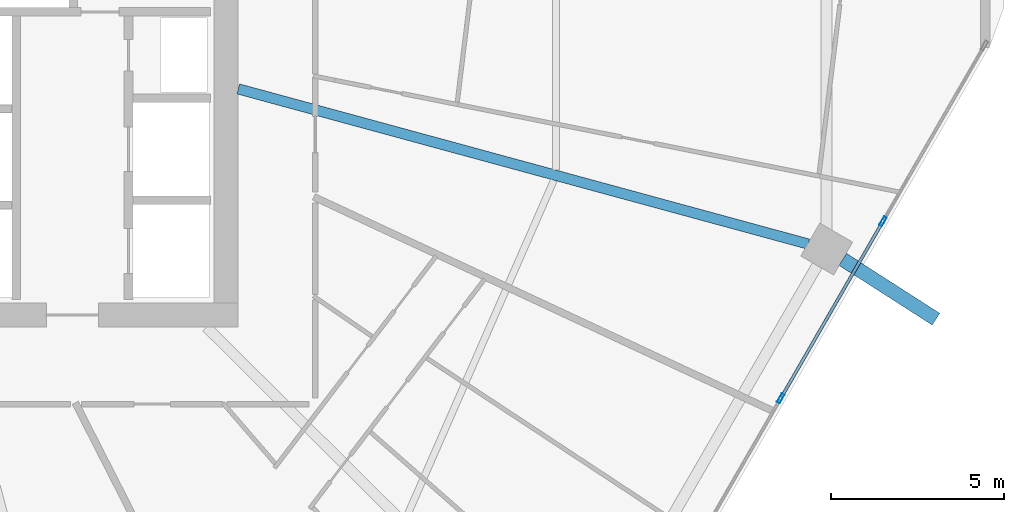
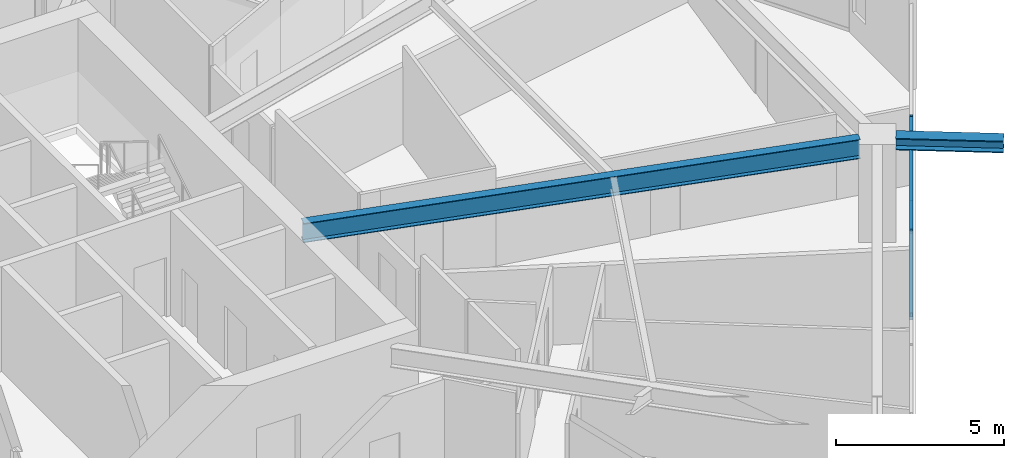
# One storey, part 11 of 33: 4 members, 2 beams, 1 element without a shape of its own.
"""IFC4 building model written with IfcOpenShell, lengths in metres."""

from ifc_helpers import new_model, si_unit, direction, frame, origin, origin_2d, place, context, subcontext, project, spatial, hollow_rectangle, i_section, extrude, material, material_profile, profile_set, type_object, element, aggregate, save


model = new_model("IFC4")

# Units and contexts
model_context = context("Model", 3, precision=1e-05, world=origin(), true_north=direction((0.0, 1.0)))
body_context = subcontext(model_context, "Body", "Model", "MODEL_VIEW")
ifc_project = project(units=[si_unit("LENGTHUNIT", "METRE"), si_unit("AREAUNIT", "SQUARE_METRE"), si_unit("VOLUMEUNIT", "CUBIC_METRE"), si_unit("PLANEANGLEUNIT", "RADIAN"), si_unit("MASSUNIT", "GRAM", prefix="KILO")], contexts=[model_context])

# Site, building, storey
site_placement = place(None, origin())
site = spatial("IfcSite", under=ifc_project, at=site_placement, CompositionType="ELEMENT")
building_placement = place(site_placement, origin())
building = spatial("IfcBuilding", under=site, at=building_placement, Name="Zuhravey Tower", CompositionType="ELEMENT")
storey_placement = place(building_placement, frame((0.0, 0.0, 126.60009765625)))
storey = spatial("IfcBuildingStorey", under=building, at=storey_placement, Name="L31", CompositionType="ELEMENT", Elevation=126.60009765625)

# Curtain wall, members
ifc_material_1 = material(Name="Thermally broken anodised aluminium", Category="aluminium")
curtain_wall_type = type_object("IfcCurtainWallType", Name="Zone 1-2 Residential Curtain Wall CW3", PredefinedType="NOTDEFINED", material=ifc_material_1)
curtain_wall_placement = place(storey_placement, origin())
curtain_wall = element("IfcCurtainWall", 1, at=curtain_wall_placement, inside=storey, type_object=curtain_wall_type, Name="L31 CW3 CW-L31-F6-1", PredefinedType="NOTDEFINED")
ifc_material_2 = material(Name="Anodised aluminium", Category="aluminium")
ifc_material_profile_1 = material_profile(ifc_material_2, hollow_rectangle(XDim=0.090087890625, YDim=0.284912109375, WallThickness=0.0048828125, at=origin_2d()), Name="ALU-RHS-90x285x5")
ifc_profile_set_1 = profile_set([ifc_material_profile_1], Name="Anodised aluminium")
member_type_1 = type_object("IfcMemberType", Name="Curtain-Wall Mullion 90x180", PredefinedType="MULLION", material=ifc_profile_set_1)
member_1_placement = place(storey_placement, frame((65.5185546875, 25.210693359375, 0.0), z_axis=(0.0, 0.0, 1.0), x_axis=(0.86602552265, -0.499999794119, 0.0)))
member_1 = element("IfcMember", 2, at=member_1_placement, type_object=member_type_1, Name="CW3 mullion 2", PredefinedType="MULLION", context=body_context, shape_type="SweptSolid", body=[
    extrude(hollow_rectangle(XDim=0.090087890625, YDim=0.284912109375, WallThickness=0.0048828125, at=origin_2d()), origin(), (0.0, 0.0, 1.0), 3.121826171875),
])
member_2_placement = place(storey_placement, frame((62.55859375, 20.083984375, 0.0), z_axis=(0.0, 0.0, 1.0), x_axis=(0.86602552265, -0.499999794119, 0.0)))
member_2 = element("IfcMember", 3, at=member_2_placement, type_object=member_type_1, Name="CW3 mullion 3", PredefinedType="MULLION", context=body_context, shape_type="SweptSolid", body=[
    extrude(hollow_rectangle(XDim=0.090087890625, YDim=0.284912109375, WallThickness=0.0048828125, at=origin_2d()), origin(), (0.0, 0.0, 1.0), 3.121826171875),
])
ifc_material_profile_2 = material_profile(ifc_material_2, hollow_rectangle(XDim=0.090087890625, YDim=0.14990234375, WallThickness=0.0048828125, at=origin_2d()), Name="ALU-RHS-90x150x5")
ifc_profile_set_2 = profile_set([ifc_material_profile_2], Name="Anodised aluminium")
member_type_2 = type_object("IfcMemberType", Name="Curtain-Wall Transom 90x150", PredefinedType="USERDEFINED", material=ifc_profile_set_2)
member_3_placement = place(storey_placement, frame((65.49609375, 25.171875, 0.044921875), z_axis=(-0.499981042766, -0.866036348472, 0.0), x_axis=(0.866036348472, -0.499981042766, 0.0)))
member_3 = element("IfcMember", 4, at=member_3_placement, type_object=member_type_2, Name="CW3 transom 2.1", ObjectType="TRANSOM", PredefinedType="USERDEFINED", context=body_context, shape_type="SweptSolid", body=[
    extrude(hollow_rectangle(XDim=0.090087890625, YDim=0.14990234375, WallThickness=0.0048828125, at=origin_2d()), origin(), (0.0, 0.0, 1.0), 5.829833984375),
])
member_4_placement = place(storey_placement, frame((65.49609375, 25.171875, 3.076904296875), z_axis=(-0.499981042766, -0.866036348472, 0.0), x_axis=(0.866036348472, -0.499981042766, 0.0)))
member_4 = element("IfcMember", 5, at=member_4_placement, type_object=member_type_2, Name="CW3 transom 2.2", ObjectType="TRANSOM", PredefinedType="USERDEFINED", context=body_context, shape_type="SweptSolid", body=[
    extrude(hollow_rectangle(XDim=0.090087890625, YDim=0.14990234375, WallThickness=0.0048828125, at=origin_2d()), origin(), (0.0, 0.0, 1.0), 5.829833984375),
])
aggregate(curtain_wall, [member_1, member_2, member_3, member_4])

# Beams
ifc_material_3 = material(Name="Steel SM460", Category="steel")
ifc_material_profile_3 = material_profile(ifc_material_3, i_section(OverallWidth=0.406982421875, OverallDepth=0.427978515625, WebThickness=0.02001953125, FlangeThickness=0.034912109375, at=origin_2d()), Name="H-428x407x20x35")
ifc_profile_set_3 = profile_set([ifc_material_profile_3], Name="Steel SM460")
beam_type_1 = type_object("IfcBeamType", Name="Exoskeleton Node Tie Beam H428x407", PredefinedType="BEAM", material=ifc_profile_set_3)
beam_1_placement = place(storey_placement, frame((64.35595703125, 24.10888671875, 3.3359375), z_axis=(0.841742425164, -0.539879328812, 0.0), x_axis=(0.539879328812, 0.841742425164, 0.0)))
element("IfcBeam", 6, at=beam_1_placement, inside=storey, type_object=beam_type_1, Name="L31 Exoskeleton Node Tie NT1-12", PredefinedType="BEAM", context=body_context, shape_type="SweptSolid", body=[
    extrude(i_section(OverallWidth=0.406982421875, OverallDepth=0.427978515625, WebThickness=0.02001953125, FlangeThickness=0.034912109375, at=origin_2d()), origin(), (0.0, 0.0, 1.0), 3.204345703125),
])
ifc_material_4 = material(Name="Steel SM355", Category="steel")
ifc_material_profile_4 = material_profile(ifc_material_4, i_section(OverallWidth=0.300048828125, OverallDepth=0.699951171875, WebThickness=0.012939453125, FlangeThickness=0.02392578125, at=origin_2d()), Name="H-700x300x13x24")
ifc_profile_set_4 = profile_set([ifc_material_profile_4], Name="Steel SM355")
beam_type_2 = type_object("IfcBeamType", Name="Radial Primary Girder H700x300", PredefinedType="BEAM", material=ifc_profile_set_4)
beam_2_placement = place(storey_placement, frame((46.85302734375, 29.045654296875, 3.199951171875), z_axis=(0.964893166225, -0.262642680791, 0.0), x_axis=(0.262642680791, 0.964893166225, 0.0)))
element("IfcBeam", 7, at=beam_2_placement, inside=storey, type_object=beam_type_2, Name="L31 RG1 BM-L31-RAD-12", PredefinedType="BEAM", context=body_context, shape_type="SweptSolid", body=[
    extrude(i_section(OverallWidth=0.300048828125, OverallDepth=0.699951171875, WebThickness=0.012939453125, FlangeThickness=0.02392578125, at=origin_2d()), origin(), (0.0, 0.0, 1.0), 17.102783203125),
])

save(model, "model.ifc")
